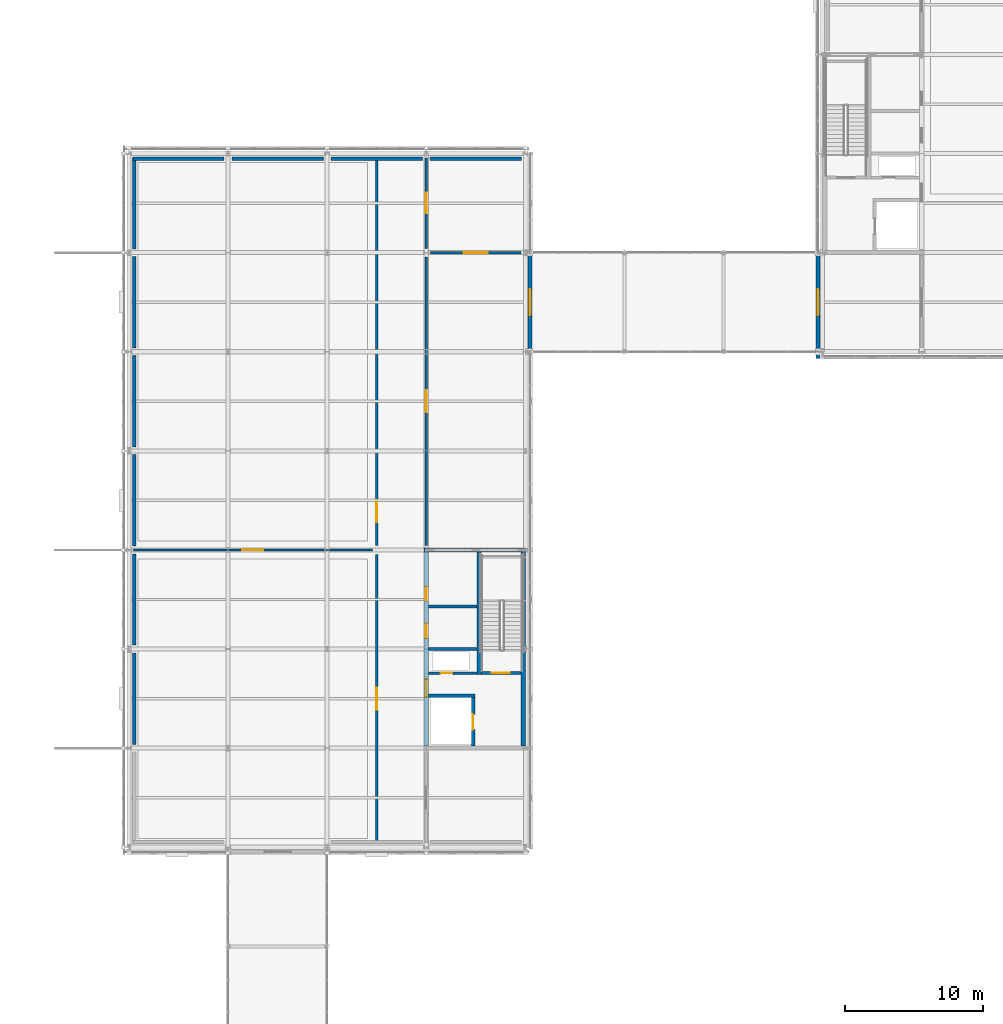
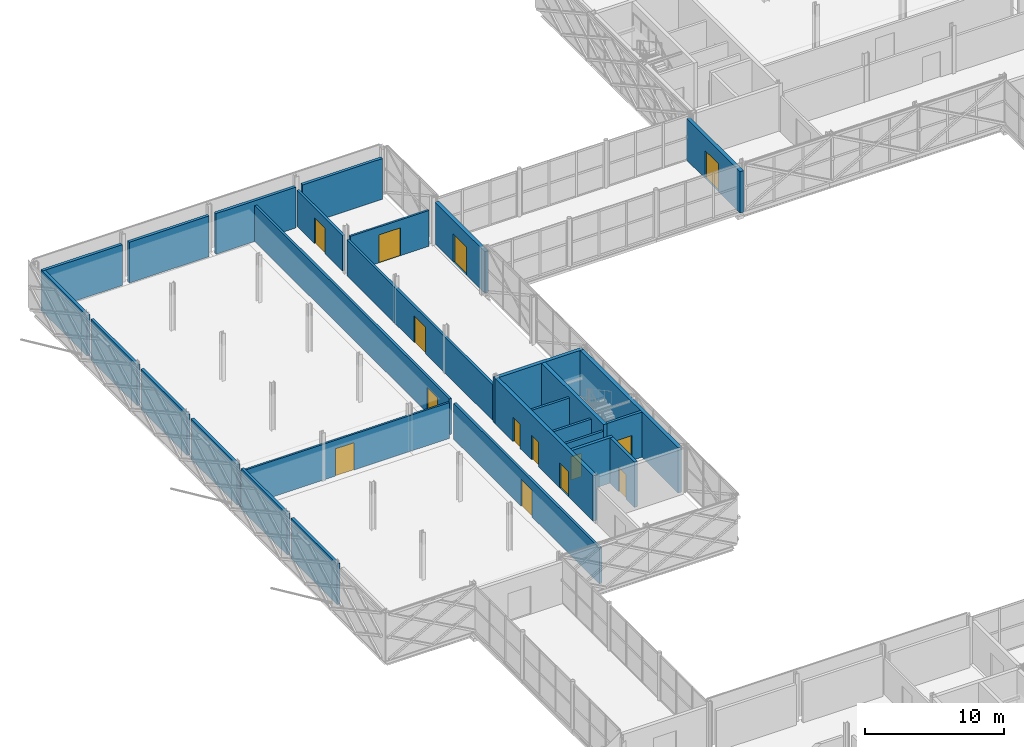
# One storey, part 122 of 146: 28 walls, 14 doors, 14 openings.
"""IFC4 building model written with IfcOpenShell, lengths in metres."""

import ifcopenshell
import ifcopenshell.guid

model = None  # the IFC model being written
_history = None  # IfcOwnerHistory: only IFC2X3 demands one
_inside = {}  # id of a spatial element -> (the spatial element, [elements in it])
_under = {}  # id of a project, library or spatial element -> (it, [spatial elements below it])
_declared = {}  # id of a project -> (the project, [libraries it declares])
_typed = {}  # id of a type object -> (the type object, [elements of that type])
_made_of = {}  # id of a material, layer set ... -> (it, [elements and type objects made of it])


def new_model(schema):
    """Start an empty IFC model of exactly this schema.

    Asked for "IFC4X3", IfcOpenShell would pick the latest addendum, in which some entities
    have other attributes; the version numbers below select the first issue.
    IFC2X3 requires an IfcOwnerHistory on every rooted entity: one is made here for all.
    """
    global model, _history
    if schema == "IFC4X3":
        model = ifcopenshell.file(schema_version=(4, 3, 0, 0))
    else:
        model = ifcopenshell.file(schema=schema)
    _inside.clear()
    _under.clear()
    _declared.clear()
    _typed.clear()
    _made_of.clear()
    _history = None
    if model.schema == "IFC2X3":
        org = make("IfcOrganization", Name="unknown")
        user = make(
            "IfcPersonAndOrganization",
            ThePerson=make("IfcPerson", FamilyName="unknown"),
            TheOrganization=org,
        )
        app = make(
            "IfcApplication",
            ApplicationDeveloper=org,
            Version="unknown",
            ApplicationFullName="unknown",
            ApplicationIdentifier="unknown",
        )
        _history = make(
            "IfcOwnerHistory",
            OwningUser=user,
            OwningApplication=app,
            ChangeAction="ADDED",
            CreationDate=0,
        )
    return model


def make(cls, **values):
    """One entity of the class cls with the attributes given. An attribute that is None is left unset."""
    return model.create_entity(
        cls, **{name: value for name, value in values.items() if value is not None}
    )


def rooted(cls, **values):
    """An entity with a GlobalId (a new one), such as an element, a storey or a relation."""
    return make(cls, GlobalId=ifcopenshell.guid.new(), OwnerHistory=_history, **values)


def si_unit(unit_type, name, prefix=None):
    """IfcSIUnit, for example si_unit("LENGTHUNIT", "METRE", prefix="MILLI")."""
    return make("IfcSIUnit", UnitType=unit_type, Prefix=prefix, Name=name)


def assignment(units):
    """IfcUnitAssignment: the units of a project."""
    return None if units is None else make("IfcUnitAssignment", Units=units)


def point(xyz):
    """IfcCartesianPoint."""
    return None if xyz is None else make("IfcCartesianPoint", Coordinates=xyz)


def direction(xyz):
    """IfcDirection."""
    return None if xyz is None else make("IfcDirection", DirectionRatios=xyz)


def frame(location, z_axis=None, x_axis=None):
    """IfcAxis2Placement3D, a coordinate frame: its origin and axes. An axis left out is left unset."""
    return make(
        "IfcAxis2Placement3D",
        Location=point(location),
        Axis=direction(z_axis),
        RefDirection=direction(x_axis),
    )


def frame_2d(location, x_axis=None):
    """IfcAxis2Placement2D, a coordinate frame in the plane: its origin and x axis."""
    return make(
        "IfcAxis2Placement2D", Location=point(location), RefDirection=direction(x_axis)
    )


def origin():
    """The frame at (0, 0, 0) with its axes left unset."""
    return frame((0.0, 0.0, 0.0))


def place(relative_to, where):
    """IfcLocalPlacement: puts the frame where relative to a parent placement (None: the world)."""
    return make(
        "IfcLocalPlacement", PlacementRelTo=relative_to, RelativePlacement=where
    )


def context(
    kind, dimensions, precision=None, world=None, true_north=None, identifier=None
):
    """IfcGeometricRepresentationContext, for example the 3D "Model" context."""
    return make(
        "IfcGeometricRepresentationContext",
        ContextIdentifier=identifier,
        ContextType=kind,
        CoordinateSpaceDimension=dimensions,
        Precision=precision,
        WorldCoordinateSystem=world,
        TrueNorth=true_north,
    )


def subcontext(parent, identifier, kind, view, scale=None):
    """IfcGeometricRepresentationSubContext, for example "Body" below "Model"."""
    return make(
        "IfcGeometricRepresentationSubContext",
        ContextIdentifier=identifier,
        ContextType=kind,
        ParentContext=parent,
        TargetScale=scale,
        TargetView=view,
    )


def project(units=None, contexts=None):
    """IfcProject with its units and contexts."""
    return rooted(
        "IfcProject",
        Name="project",
        RepresentationContexts=contexts,
        UnitsInContext=assignment(units),
    )


def spatial(cls, under=None, at=None, **own):
    """A site, building, storey or space (cls), placed at a placement, below another one or the project."""
    s = rooted(cls, ObjectPlacement=at, **own)
    if under is not None:
        _under.setdefault(under.id(), (under, []))[1].append(s)
    return s


def profile(cls, at=None, kind="AREA", **sizes):
    """A parametric profile (cls). Its sizes go by their IFC names, for example OverallWidth=200.0."""
    return make(cls, ProfileType=kind, Position=at, **sizes)


def rectangle(**sizes):
    """IfcRectangleProfileDef."""
    return profile("IfcRectangleProfileDef", **sizes)


def extrude(swept, where, along, depth):
    """IfcExtrudedAreaSolid: the profile swept, set in the frame where, extruded along a direction by depth."""
    return make(
        "IfcExtrudedAreaSolid",
        SweptArea=swept,
        Position=where,
        ExtrudedDirection=direction(along),
        Depth=depth,
    )


def shape(context_of_items, identifier, shape_type, items):
    """IfcShapeRepresentation: the items that make up one representation, for example the "Body"."""
    return make(
        "IfcShapeRepresentation",
        ContextOfItems=context_of_items,
        RepresentationIdentifier=identifier,
        RepresentationType=shape_type,
        Items=items,
    )


def material(Name=None, Category=None):
    """IfcMaterial."""
    return make("IfcMaterial", Name=Name, Category=Category)


def layer(
    of_material, thickness, ventilated=None, Name=None, Category=None, Priority=None
):
    """IfcMaterialLayer: one layer of a wall or slab, of a material (None: an air gap)."""
    return make(
        "IfcMaterialLayer",
        Material=of_material,
        LayerThickness=thickness,
        IsVentilated=ventilated,
        Name=Name,
        Category=Category,
        Priority=Priority,
    )


def layer_set(layers, Name=None):
    """IfcMaterialLayerSet."""
    return make("IfcMaterialLayerSet", MaterialLayers=layers, LayerSetName=Name)


def made_of(thing, what):
    """Note that an element or type object is made of a material, layer set ...; save() writes the relation."""
    if what is not None:
        _made_of.setdefault(what.id(), (what, []))[1].append(thing)
    return thing


def type_object(cls, material=None, **own):
    """A type object (cls), such as IfcWallType, which elements share."""
    return made_of(rooted(cls, **own), material)


def element(
    cls,
    number,
    at=None,
    inside=None,
    cuts=None,
    type_object=None,
    material=None,
    context=None,
    identifier="Body",
    shape_type=None,
    held_by="IfcProductDefinitionShape",
    body=None,
    shapes=None,
    **own,
):
    """One element of the class cls, such as IfcWall. Its Tag is "e" and its number.

    at: its placement. inside: the storey or other place that contains it. cuts: it is an
    opening in that element (IfcRelVoidsElement). A single representation is given by context,
    identifier, shape_type and body (its items); several are given by shapes. held_by: the class
    of the entity that holds the representations. save() writes the other relations.
    """
    e = rooted(cls, Tag="e%d" % number, ObjectPlacement=at, **own)
    if body is not None:
        shapes = [shape(context, identifier, shape_type, body)]
    if shapes is not None:
        e.Representation = make(held_by, Representations=shapes)
    if inside is not None:
        _inside.setdefault(inside.id(), (inside, []))[1].append(e)
    if cuts is not None:
        rooted(
            "IfcRelVoidsElement", RelatingBuildingElement=cuts, RelatedOpeningElement=e
        )
    if type_object is not None:
        _typed.setdefault(type_object.id(), (type_object, []))[1].append(e)
    return made_of(e, material)


def fill(opening, filler):
    """IfcRelFillsElement: the door or window that sits in an opening."""
    return rooted(
        "IfcRelFillsElement",
        RelatingOpeningElement=opening,
        RelatedBuildingElement=filler,
    )


def aggregate(whole, parts):
    """IfcRelAggregates: a whole, such as a stair, and the parts it consists of."""
    return rooted("IfcRelAggregates", RelatingObject=whole, RelatedObjects=parts)


def save(model, path):
    """Write the relations noted so far, then the file.

    IfcRelAggregates (storeys below a building ...), IfcRelContainedInSpatialStructure (elements
    in a storey), IfcRelDefinesByType, IfcRelAssociatesMaterial and IfcRelDeclares: one each for
    every whole, place, type object, material and project.
    """
    for whole, parts in _under.values():
        aggregate(whole, parts)
    for where, things in _inside.values():
        rooted(
            "IfcRelContainedInSpatialStructure",
            RelatedElements=things,
            RelatingStructure=where,
        )
    for kind, things in _typed.values():
        rooted("IfcRelDefinesByType", RelatedObjects=things, RelatingType=kind)
    for what, things in _made_of.values():
        rooted("IfcRelAssociatesMaterial", RelatedObjects=things, RelatingMaterial=what)
    for by, libraries in _declared.values():
        rooted("IfcRelDeclares", RelatingContext=by, RelatedDefinitions=libraries)
    model.write(path)


model = new_model("IFC4")

# Units and contexts
model_context = context("Model", 3, precision=1e-05, world=origin(), true_north=direction((0.0, 1.0)))
body_context = subcontext(model_context, "Body", "Model", "MODEL_VIEW")
ifc_project = project(units=[si_unit("LENGTHUNIT", "METRE"), si_unit("AREAUNIT", "SQUARE_METRE"), si_unit("VOLUMEUNIT", "CUBIC_METRE"), si_unit("PLANEANGLEUNIT", "RADIAN"), si_unit("MASSUNIT", "GRAM", prefix="KILO")], contexts=[model_context])

# Site, building, storey
site_placement = place(None, origin())
site = spatial("IfcSite", under=ifc_project, at=site_placement, CompositionType="ELEMENT")
building_placement = place(site_placement, origin())
building = spatial("IfcBuilding", under=site, at=building_placement, Name="Zlatovets Crest Museum", CompositionType="ELEMENT")
storey_placement = place(building_placement, frame((0.0, 0.0, 4.5)))
storey = spatial("IfcBuildingStorey", under=building, at=storey_placement, Name="L01", CompositionType="ELEMENT", Elevation=4.5)

# Walls
ifc_material_1 = material(Name="Concrete C35/45", Category="concrete")
ifc_layer_1 = layer(ifc_material_1, 0.300048828125)
ifc_layer_set_1 = layer_set([ifc_layer_1], Name="Concrete C35/45")
wall_type_1 = type_object("IfcWallType", Name="CoreWall_SW01", PredefinedType="SHEAR", material=ifc_layer_set_1)
wall_1_placement = place(storey_placement, frame((28.64990234375, 72.0, 0.0), z_axis=(0.0, 0.0, 1.0), x_axis=(1.0, 0.0, 0.0)))
element("IfcWall", 1, at=wall_1_placement, inside=storey, type_object=wall_type_1, Name="Core C4 L01 North Shear Wall", PredefinedType="SHEAR", context=body_context, shape_type="SweptSolid", body=[
    extrude(rectangle(XDim=7.35009765625, YDim=0.300048828125, at=frame_2d((3.675048828125, 0.0))), origin(), (0.0, 0.0, 1.0), 3.97998046875),
])
wall_2_placement = place(storey_placement, frame((35.85009765625, 57.75, 0.0), z_axis=(0.0, 0.0, 1.0), x_axis=(0.0, 1.0, 0.0)))
element("IfcWall", 2, at=wall_2_placement, inside=storey, type_object=wall_type_1, Name="Core C4 L01 Perimeter Shear Wall", PredefinedType="SHEAR", context=body_context, shape_type="SweptSolid", body=[
    extrude(rectangle(XDim=14.10009765625, YDim=0.300048828125, at=frame_2d((7.050048828125, 0.0))), origin(), (0.0, 0.0, 1.0), 3.97998046875),
])

# Wall, openings, doors
wall_3_placement = place(storey_placement, frame((28.800048828125, 57.75, 0.0), z_axis=(0.0, 0.0, 1.0), x_axis=(0.0, 1.0, 0.0)))
wall_3 = element("IfcWall", 3, at=wall_3_placement, inside=storey, type_object=wall_type_1, Name="Core C4 L01 Spine Shear Wall", PredefinedType="SHEAR", context=body_context, shape_type="SweptSolid", body=[
    extrude(rectangle(XDim=14.10009765625, YDim=0.300048828125, at=frame_2d((7.050048828125, 0.0))), origin(), (0.0, 0.0, 1.0), 3.97998046875),
])
opening_1_placement = place(wall_3_placement, frame((3.550048828125, 0.0, 0.0)))
opening_1 = element("IfcOpeningElement", 4, at=opening_1_placement, cuts=wall_3, Name="Opening FD-01", PredefinedType="OPENING", context=body_context, shape_type="SweptSolid", body=[
    extrude(rectangle(XDim=1.300048828125, YDim=2.199951171875, at=frame_2d((0.64990234375, 1.10009765625))), frame((0.0, 0.16015625, 0.0), z_axis=(0.0, -1.0, 0.0), x_axis=(1.0, 0.0, 0.0)), (0.0, 0.0, 1.0), 0.320068359375),
])
opening_2_placement = place(wall_3_placement, frame((7.85009765625, 0.0, 0.0)))
opening_2 = element("IfcOpeningElement", 5, at=opening_2_placement, cuts=wall_3, Name="Opening ID-02", PredefinedType="OPENING", context=body_context, shape_type="SweptSolid", body=[
    extrude(rectangle(XDim=1.050048828125, YDim=2.14990234375, at=frame_2d((0.52490234375, 1.074951171875))), frame((0.0, 0.16015625, 0.0), z_axis=(0.0, -1.0, 0.0), x_axis=(1.0, 0.0, 0.0)), (0.0, 0.0, 1.0), 0.320068359375),
])
opening_3_placement = place(wall_3_placement, frame((10.550048828125, 0.0, 0.0)))
opening_3 = element("IfcOpeningElement", 6, at=opening_3_placement, cuts=wall_3, Name="Opening ID-01", PredefinedType="OPENING", context=body_context, shape_type="SweptSolid", body=[
    extrude(rectangle(XDim=1.0, YDim=2.14990234375, at=frame_2d((0.5, 1.074951171875))), frame((0.0, 0.16015625, 0.0), z_axis=(0.0, -1.0, 0.0), x_axis=(1.0, 0.0, 0.0)), (0.0, 0.0, 1.0), 0.320068359375),
])
ifc_material_2 = material(Name="Smoke-sealed steel fire door", Category="steel")
door_type_1 = type_object("IfcDoorType", Name="IntDoor_FD-01", OperationType="NOTDEFINED", PredefinedType="DOOR", material=ifc_material_2)
door_1_placement = place(opening_1_placement, origin())
door_1 = element("IfcDoor", 7, at=door_1_placement, inside=storey, type_object=door_type_1, Name="CDOOR-C4-L01-LOB Core C4 L01 Lobby Fire Door", OperationType="SINGLE_SWING_LEFT", OverallHeight=2.199951171875, OverallWidth=1.300048828125, PredefinedType="DOOR", context=body_context, shape_type="SweptSolid", body=[
    extrude(rectangle(XDim=1.300048828125, YDim=2.199951171875, at=frame_2d((0.64990234375, 1.10009765625))), frame((0.0, 0.02490234375, 0.0), z_axis=(0.0, -1.0, 0.0), x_axis=(1.0, 0.0, 0.0)), (0.0, 0.0, 1.0), 0.050048828125),
])
fill(opening_1, door_1)
ifc_material_3 = material(Name="Solid oak museum room door")
door_type_2 = type_object("IfcDoorType", Name="IntDoor_ID-01", OperationType="NOTDEFINED", PredefinedType="DOOR", material=ifc_material_3)
door_2_placement = place(opening_3_placement, origin())
door_2 = element("IfcDoor", 8, at=door_2_placement, inside=storey, type_object=door_type_2, Name="CDOOR-C4-L01-WC Core C4 L01 Public Restroom Door", OperationType="SINGLE_SWING_RIGHT", OverallHeight=2.14990234375, OverallWidth=1.0, PredefinedType="DOOR", context=body_context, shape_type="SweptSolid", body=[
    extrude(rectangle(XDim=1.0, YDim=2.14990234375, at=frame_2d((0.5, 1.074951171875))), frame((0.0, 0.02490234375, 0.0), z_axis=(0.0, -1.0, 0.0), x_axis=(1.0, 0.0, 0.0)), (0.0, 0.0, 1.0), 0.050048828125),
])
fill(opening_3, door_2)
ifc_material_4 = material(Name="Accessible sanitary room door")
door_type_3 = type_object("IfcDoorType", Name="IntDoor_ID-02", OperationType="NOTDEFINED", PredefinedType="DOOR", material=ifc_material_4)
door_3_placement = place(opening_2_placement, origin())
door_3 = element("IfcDoor", 9, at=door_3_placement, inside=storey, type_object=door_type_3, Name="CDOOR-C4-L01-AWC Core C4 L01 Accessible WC Door", OperationType="SINGLE_SWING_LEFT", OverallHeight=2.14990234375, OverallWidth=1.050048828125, PredefinedType="DOOR", context=body_context, shape_type="SweptSolid", body=[
    extrude(rectangle(XDim=1.050048828125, YDim=2.14990234375, at=frame_2d((0.52490234375, 1.074951171875))), frame((0.0, 0.02490234375, 0.0), z_axis=(0.0, -1.0, 0.0), x_axis=(1.0, 0.0, 0.0)), (0.0, 0.0, 1.0), 0.050048828125),
])
fill(opening_2, door_3)

# Wall
wall_4_placement = place(storey_placement, frame((32.64990234375, 62.93994140625, 0.0), z_axis=(0.0, 0.0, 1.0), x_axis=(0.0, 1.0, 0.0)))
element("IfcWall", 10, at=wall_4_placement, inside=storey, type_object=wall_type_1, Name="Core C4 L01 Stair Divider Wall", PredefinedType="SHEAR", context=body_context, shape_type="SweptSolid", body=[
    extrude(rectangle(XDim=8.91015625, YDim=0.300048828125, at=frame_2d((4.455078125, 0.0))), origin(), (0.0, 0.0, 1.0), 3.97998046875),
])

# Wall, opening, door
ifc_layer_2 = layer(ifc_material_1, 0.25)
ifc_layer_set_2 = layer_set([ifc_layer_2], Name="Concrete C35/45")
wall_type_2 = type_object("IfcWallType", Name="CoreWall_SW02", PredefinedType="SHEAR", material=ifc_layer_set_2)
wall_5_placement = place(storey_placement, frame((32.199951171875, 57.75, 0.0), z_axis=(0.0, 0.0, 1.0), x_axis=(0.0, 1.0, 0.0)))
wall_5 = element("IfcWall", 11, at=wall_5_placement, inside=storey, type_object=wall_type_2, Name="Core C4 L01 Lift Shaft Wall", PredefinedType="SHEAR", context=body_context, shape_type="SweptSolid", body=[
    extrude(rectangle(XDim=3.52490234375, YDim=0.25, at=frame_2d((1.762451171875, 0.0))), origin(), (0.0, 0.0, 1.0), 3.97998046875),
])
opening_4_placement = place(wall_5_placement, frame((1.199951171875, 0.0, 0.0)))
opening_4 = element("IfcOpeningElement", 12, at=opening_4_placement, cuts=wall_5, Name="Opening LD-01", PredefinedType="OPENING", context=body_context, shape_type="SweptSolid", body=[
    extrude(rectangle(XDim=1.10009765625, YDim=2.14990234375, at=frame_2d((0.550048828125, 1.074951171875))), frame((0.0, 0.135009765625, 0.0), z_axis=(0.0, -1.0, 0.0), x_axis=(1.0, 0.0, 0.0)), (0.0, 0.0, 1.0), 0.27001953125),
])
ifc_material_5 = material(Name="Stainless-bronze sliding lift landing door")
door_type_4 = type_object("IfcDoorType", Name="IntDoor_LD-01", OperationType="SLIDING_TO_LEFT", PredefinedType="DOOR", material=ifc_material_5)
door_4_placement = place(opening_4_placement, origin())
door_4 = element("IfcDoor", 13, at=door_4_placement, inside=storey, type_object=door_type_4, Name="LDOOR-PL2-L01 Lift PL2 L01 Sliding Landing Door", OperationType="SLIDING_TO_LEFT", OverallHeight=2.14990234375, OverallWidth=1.10009765625, PredefinedType="DOOR", context=body_context, shape_type="SweptSolid", body=[
    extrude(rectangle(XDim=1.10009765625, YDim=2.14990234375, at=frame_2d((0.550048828125, 1.074951171875))), frame((0.0, 0.02490234375, 0.0), z_axis=(0.0, -1.0, 0.0), x_axis=(1.0, 0.0, 0.0)), (0.0, 0.0, 1.0), 0.050048828125),
])
fill(opening_4, door_4)

wall_6_placement = place(storey_placement, frame((32.800048828125, 63.050048828125, 0.0), z_axis=(0.0, 0.0, 1.0), x_axis=(1.0, 0.0, 0.0)))
wall_6 = element("IfcWall", 14, at=wall_6_placement, inside=storey, type_object=wall_type_2, Name="Core C4 L01 Stairwell Fire Wall", PredefinedType="SHEAR", context=body_context, shape_type="SweptSolid", body=[
    extrude(rectangle(XDim=2.89990234375, YDim=0.219970703125, at=frame_2d((1.449951171875, 0.0))), origin(), (0.0, 0.0, 1.0), 3.97998046875),
])
opening_5_placement = place(wall_6_placement, frame((0.75, 0.0, 0.0)))
opening_5 = element("IfcOpeningElement", 15, at=opening_5_placement, cuts=wall_6, Name="Opening FD-01", PredefinedType="OPENING", context=body_context, shape_type="SweptSolid", body=[
    extrude(rectangle(XDim=1.300048828125, YDim=2.199951171875, at=frame_2d((0.64990234375, 1.10009765625))), frame((0.0, 0.1201171875, 0.0), z_axis=(0.0, -1.0, 0.0), x_axis=(1.0, 0.0, 0.0)), (0.0, 0.0, 1.0), 0.239990234375),
])
door_5_placement = place(opening_5_placement, origin())
door_5 = element("IfcDoor", 16, at=door_5_placement, inside=storey, type_object=door_type_1, Name="SDOOR-ST4-L01 Stair ST4 L01 Fire Door", OperationType="SINGLE_SWING_LEFT", OverallHeight=2.199951171875, OverallWidth=1.300048828125, PredefinedType="DOOR", context=body_context, shape_type="SweptSolid", body=[
    extrude(rectangle(XDim=1.300048828125, YDim=2.199951171875, at=frame_2d((0.64990234375, 1.10009765625))), frame((0.0, 0.02490234375, 0.0), z_axis=(0.0, -1.0, 0.0), x_axis=(1.0, 0.0, 0.0)), (0.0, 0.0, 1.0), 0.050048828125),
])
fill(opening_5, door_5)

# Wall
wall_7_placement = place(storey_placement, frame((28.949951171875, 61.39990234375, 0.0), z_axis=(0.0, 0.0, 1.0), x_axis=(1.0, 0.0, 0.0)))
element("IfcWall", 17, at=wall_7_placement, inside=storey, type_object=wall_type_2, Name="Core C4 L01 Lift Shaft North Shear Wall", PredefinedType="SHEAR", context=body_context, shape_type="SweptSolid", body=[
    extrude(rectangle(XDim=3.375, YDim=0.25, at=frame_2d((1.6875, 0.0))), origin(), (0.0, 0.0, 1.0), 3.97998046875),
])

# Wall, opening, door
ifc_material_6 = material(Name="Insulated gallery conservation liner wall", Category="concrete")
ifc_layer_3 = layer(ifc_material_6, 0.300048828125)
ifc_layer_set_3 = layer_set([ifc_layer_3], Name="Insulated gallery conservation liner wall")
wall_type_3 = type_object("IfcWallType", Name="ExtWall_EW-02", PredefinedType="STANDARD", material=ifc_layer_set_3)
wall_8_placement = place(storey_placement, frame((57.260009765625, 93.60009765625, 0.0), z_axis=(0.0, 0.0, 1.0), x_axis=(0.0, -1.0, 0.0)))
wall_8 = element("IfcWall", 18, at=wall_8_placement, inside=storey, type_object=wall_type_3, Name="V1 L01 Bridge Portal Wall", PredefinedType="STANDARD", context=body_context, shape_type="SweptSolid", body=[
    extrude(rectangle(XDim=7.68017578125, YDim=0.300048828125, at=frame_2d((3.840087890625, 0.0))), origin(), (0.0, 0.0, 1.0), 3.64990234375),
])
opening_6_placement = place(wall_8_placement, frame((2.64990234375, 0.0, 0.0)))
opening_6 = element("IfcOpeningElement", 19, at=opening_6_placement, cuts=wall_8, Name="Opening ED-02", PredefinedType="OPENING", context=body_context, shape_type="SweptSolid", body=[
    extrude(rectangle(XDim=1.89990234375, YDim=2.449951171875, at=frame_2d((0.949951171875, 1.22509765625))), frame((0.0, 0.16015625, 0.0), z_axis=(0.0, -1.0, 0.0), x_axis=(1.0, 0.0, 0.0)), (0.0, 0.0, 1.0), 0.320068359375),
])
ifc_material_7 = material(Name="Bronze-clad insulated steel door", Category="steel")
door_type_5 = type_object("IfcDoorType", Name="ExtDoor_ED-02", OperationType="NOTDEFINED", PredefinedType="DOOR", material=ifc_material_7)
door_6_placement = place(opening_6_placement, origin())
door_6 = element("IfcDoor", 20, at=door_6_placement, inside=storey, type_object=door_type_5, Name="ED-V1-L01-BR007 V1 L01 Bridge Link Portal Door", OperationType="DOUBLE_DOOR_SINGLE_SWING", OverallHeight=2.449951171875, OverallWidth=1.89990234375, PredefinedType="DOOR", context=body_context, shape_type="SweptSolid", body=[
    extrude(rectangle(XDim=1.89990234375, YDim=2.449951171875, at=frame_2d((0.949951171875, 1.22509765625))), frame((0.0, 0.02490234375, 0.0), z_axis=(0.0, -1.0, 0.0), x_axis=(1.0, 0.0, 0.0)), (0.0, 0.0, 1.0), 0.050048828125),
])
fill(opening_6, door_6)

wall_9_placement = place(storey_placement, frame((36.340087890625, 86.39990234375, 0.0), z_axis=(0.0, 0.0, 1.0), x_axis=(0.0, 1.0, 0.0)))
wall_9 = element("IfcWall", 21, at=wall_9_placement, inside=storey, type_object=wall_type_3, Name="V4 L01 Bridge Portal Wall", PredefinedType="STANDARD", context=body_context, shape_type="SweptSolid", body=[
    extrude(rectangle(XDim=7.2001953125, YDim=0.300048828125, at=frame_2d((3.60009765625, 0.0))), origin(), (0.0, 0.0, 1.0), 3.64990234375),
])
opening_7_placement = place(wall_9_placement, frame((2.64990234375, 0.0, 0.0)))
opening_7 = element("IfcOpeningElement", 22, at=opening_7_placement, cuts=wall_9, Name="Opening ED-02", PredefinedType="OPENING", context=body_context, shape_type="SweptSolid", body=[
    extrude(rectangle(XDim=1.89990234375, YDim=2.449951171875, at=frame_2d((0.949951171875, 1.22509765625))), frame((0.0, 0.16015625, 0.0), z_axis=(0.0, -1.0, 0.0), x_axis=(1.0, 0.0, 0.0)), (0.0, 0.0, 1.0), 0.320068359375),
])
door_7_placement = place(opening_7_placement, origin())
door_7 = element("IfcDoor", 23, at=door_7_placement, inside=storey, type_object=door_type_5, Name="ED-V4-L01-BR038 V4 L01 Bridge Link Portal Door", OperationType="DOUBLE_DOOR_SINGLE_SWING", OverallHeight=2.449951171875, OverallWidth=1.89990234375, PredefinedType="DOOR", context=body_context, shape_type="SweptSolid", body=[
    extrude(rectangle(XDim=1.89990234375, YDim=2.449951171875, at=frame_2d((0.949951171875, 1.22509765625))), frame((0.0, 0.02490234375, 0.0), z_axis=(0.0, -1.0, 0.0), x_axis=(1.0, 0.0, 0.0)), (0.0, 0.0, 1.0), 0.050048828125),
])
fill(opening_7, door_7)

# Walls
wall_10_placement = place(storey_placement, frame((35.719970703125, 100.419921875, 0.0), z_axis=(0.0, 0.0, 1.0), x_axis=(-1.0, 0.0, 0.0)))
element("IfcWall", 24, at=wall_10_placement, inside=storey, type_object=wall_type_3, Name="V4 L01 Interior Conservation Gallery Liner Wall", PredefinedType="STANDARD", context=body_context, shape_type="SweptSolid", body=[
    extrude(rectangle(XDim=6.639892578125, YDim=0.239990234375, at=frame_2d((3.31982421875, 0.0))), origin(), (0.0, 0.0, 1.0), 3.580078125),
])
for number, where, z_axis, x_axis, name in (
    (25, (28.52001953125, 100.419921875, 0.0), (0.0, 0.0, 1.0), (-1.0, 0.0, 0.0), "V4 L01 Interior Conservation Gallery Liner Wall"),
    (26, (21.320068359375, 100.419921875, 0.0), (0.0, 0.0, 1.0), (-1.0, 0.0, 0.0), "V4 L01 Interior Conservation Gallery Liner Wall"),
    (27, (14.1201171875, 100.419921875, 0.0), (0.0, 0.0, 1.0), (-1.0, 0.0, 0.0), "V4 L01 Interior Conservation Gallery Liner Wall"),
    (28, (7.580078125, 100.52001953125, 0.0), (0.0, 0.0, 1.0), (0.0, -1.0, 0.0), "V4 L01 Interior Conservation Gallery Liner Wall"),
    (29, (7.580078125, 93.320068359375, 0.0), (0.0, 0.0, 1.0), (0.0, -1.0, 0.0), "V4 L01 Interior Conservation Gallery Liner Wall"),
    (30, (7.580078125, 86.1201171875, 0.0), (0.0, 0.0, 1.0), (0.0, -1.0, 0.0), "V4 L01 Interior Conservation Gallery Liner Wall"),
):
    element("IfcWall", number, at=place(storey_placement, frame(where, z_axis=z_axis, x_axis=x_axis)), inside=storey, type_object=wall_type_3, Name=name, PredefinedType="STANDARD", context=body_context, shape_type="SweptSolid", body=[
        extrude(rectangle(XDim=6.64013671875, YDim=0.239990234375, at=frame_2d((3.320068359375, 0.0))), origin(), (0.0, 0.0, 1.0), 3.580078125),
    ])
for number, where, z_axis, x_axis, name in (
    (31, (7.580078125, 78.919921875, 0.0), (0.0, 0.0, 1.0), (0.0, -1.0, 0.0), "V4 L01 Interior Conservation Gallery Liner Wall"),
    (32, (7.580078125, 71.719970703125, 0.0), (0.0, 0.0, 1.0), (0.0, -1.0, 0.0), "V4 L01 Interior Conservation Gallery Liner Wall"),
):
    element("IfcWall", number, at=place(storey_placement, frame(where, z_axis=z_axis, x_axis=x_axis)), inside=storey, type_object=wall_type_3, Name=name, PredefinedType="STANDARD", context=body_context, shape_type="SweptSolid", body=[
        extrude(rectangle(XDim=6.639892578125, YDim=0.239990234375, at=frame_2d((3.31982421875, 0.0))), origin(), (0.0, 0.0, 1.0), 3.580078125),
    ])
wall_11_placement = place(storey_placement, frame((7.580078125, 64.52001953125, 0.0), z_axis=(0.0, 0.0, 1.0), x_axis=(0.0, -1.0, 0.0)))
element("IfcWall", 33, at=wall_11_placement, inside=storey, type_object=wall_type_3, Name="V4 L01 Interior Conservation Gallery Liner Wall", PredefinedType="STANDARD", context=body_context, shape_type="SweptSolid", body=[
    extrude(rectangle(XDim=6.64013671875, YDim=0.239990234375, at=frame_2d((3.320068359375, 0.0))), origin(), (0.0, 0.0, 1.0), 3.580078125),
])

# Wall, opening, door
ifc_material_8 = material(Name="Gypsum-encased fire compartment partition")
ifc_layer_4 = layer(ifc_material_8, 0.199951171875)
ifc_layer_set_4 = layer_set([ifc_layer_4], Name="Gypsum-encased fire compartment partition")
wall_type_4 = type_object("IfcWallType", Name="PartWall_PT-01", PredefinedType="PARTITIONING", material=ifc_layer_set_4)
wall_12_placement = place(storey_placement, frame((25.199951171875, 50.719970703125, 0.0), z_axis=(0.0, 0.0, 1.0), x_axis=(0.0, 1.0, 0.0)))
wall_12 = element("IfcWall", 34, at=wall_12_placement, inside=storey, type_object=wall_type_4, Name="V4 L01 Interior Partition PT-01", PredefinedType="PARTITIONING", context=body_context, shape_type="SweptSolid", body=[
    extrude(rectangle(XDim=20.9599609375, YDim=0.199951171875, at=frame_2d((10.47998046875, 0.0))), origin(), (0.0, 0.0, 1.0), 3.14990234375),
])
opening_8_placement = place(wall_12_placement, frame((9.679931640625, 0.0, 0.0)))
opening_8 = element("IfcOpeningElement", 35, at=opening_8_placement, cuts=wall_12, Name="Opening ID-04", PredefinedType="OPENING", context=body_context, shape_type="SweptSolid", body=[
    extrude(rectangle(XDim=1.60009765625, YDim=2.35009765625, at=frame_2d((0.800048828125, 1.175048828125))), frame((0.0, 0.10986328125, 0.0), z_axis=(0.0, -1.0, 0.0), x_axis=(1.0, 0.0, 0.0)), (0.0, 0.0, 1.0), 0.219970703125),
])
ifc_material_9 = material(Name="Gallery salon double portal door")
door_type_6 = type_object("IfcDoorType", Name="IntDoor_ID-04", OperationType="DOUBLE_DOOR_SINGLE_SWING", PredefinedType="DOOR", material=ifc_material_9)
door_8_placement = place(opening_8_placement, origin())
door_8 = element("IfcDoor", 36, at=door_8_placement, inside=storey, type_object=door_type_6, Name="IDOOR-V4-L01-0122 West Wing Promenade L01 to Secession Furniture and Woodwork Salon Door", OperationType="DOUBLE_DOOR_SINGLE_SWING", OverallHeight=2.35009765625, OverallWidth=1.60009765625, PredefinedType="DOOR", context=body_context, shape_type="SweptSolid", body=[
    extrude(rectangle(XDim=1.60009765625, YDim=2.35009765625, at=frame_2d((0.800048828125, 1.175048828125))), frame((0.0, 0.02490234375, 0.0), z_axis=(0.0, -1.0, 0.0), x_axis=(1.0, 0.0, 0.0)), (0.0, 0.0, 1.0), 0.050048828125),
])
fill(opening_8, door_8)

wall_13_placement = place(storey_placement, frame((25.199951171875, 72.320068359375, 0.0), z_axis=(0.0, 0.0, 1.0), x_axis=(0.0, 1.0, 0.0)))
wall_13 = element("IfcWall", 37, at=wall_13_placement, inside=storey, type_object=wall_type_4, Name="V4 L01 Interior Partition PT-01", PredefinedType="PARTITIONING", context=body_context, shape_type="SweptSolid", body=[
    extrude(rectangle(XDim=28.159912109375, YDim=0.199951171875, at=frame_2d((14.080078125, 0.0))), origin(), (0.0, 0.0, 1.0), 3.14990234375),
])
opening_9_placement = place(wall_13_placement, frame((1.69873046875, 0.0, 0.0)))
opening_9 = element("IfcOpeningElement", 38, at=opening_9_placement, cuts=wall_13, Name="Opening FD-02", PredefinedType="OPENING", context=body_context, shape_type="SweptSolid", body=[
    extrude(rectangle(XDim=1.5, YDim=2.25, at=frame_2d((0.75, 1.125))), frame((0.0, 0.10986328125, 0.0), z_axis=(0.0, -1.0, 0.0), x_axis=(1.0, 0.0, 0.0)), (0.0, 0.0, 1.0), 0.219970703125),
])
ifc_material_10 = material(Name="Double corridor compartment fire door")
door_type_7 = type_object("IfcDoorType", Name="IntDoor_FD-02", OperationType="DOUBLE_DOOR_SINGLE_SWING", PredefinedType="DOOR", material=ifc_material_10)
door_9_placement = place(opening_9_placement, origin())
door_9 = element("IfcDoor", 39, at=door_9_placement, inside=storey, type_object=door_type_7, Name="IDOOR-V4-L01-0123 West Wing Promenade L01 to Wrought Iron and Bronze Artistry Gallery Door", OperationType="DOUBLE_DOOR_SINGLE_SWING", OverallHeight=2.25, OverallWidth=1.5, PredefinedType="DOOR", context=body_context, shape_type="SweptSolid", body=[
    extrude(rectangle(XDim=1.5, YDim=2.25, at=frame_2d((0.75, 1.125))), frame((0.0, 0.02490234375, 0.0), z_axis=(0.0, -1.0, 0.0), x_axis=(1.0, 0.0, 0.0)), (0.0, 0.0, 1.0), 0.050048828125),
])
fill(opening_9, door_9)

wall_14_placement = place(storey_placement, frame((28.800048828125, 72.320068359375, 0.0), z_axis=(0.0, 0.0, 1.0), x_axis=(0.0, 1.0, 0.0)))
wall_14 = element("IfcWall", 40, at=wall_14_placement, inside=storey, type_object=wall_type_4, Name="V4 L01 Interior Partition PT-01", PredefinedType="PARTITIONING", context=body_context, shape_type="SweptSolid", body=[
    extrude(rectangle(XDim=20.9599609375, YDim=0.199951171875, at=frame_2d((10.47998046875, 0.0))), origin(), (0.0, 0.0, 1.0), 3.14990234375),
])
opening_10_placement = place(wall_14_placement, frame((9.679931640625, 0.0, 0.0)))
opening_10 = element("IfcOpeningElement", 41, at=opening_10_placement, cuts=wall_14, Name="Opening ID-04", PredefinedType="OPENING", context=body_context, shape_type="SweptSolid", body=[
    extrude(rectangle(XDim=1.60009765625, YDim=2.35009765625, at=frame_2d((0.800048828125, 1.175048828125))), frame((0.0, 0.10986328125, 0.0), z_axis=(0.0, -1.0, 0.0), x_axis=(1.0, 0.0, 0.0)), (0.0, 0.0, 1.0), 0.219970703125),
])
door_10_placement = place(opening_10_placement, origin())
door_10 = element("IfcDoor", 42, at=door_10_placement, inside=storey, type_object=door_type_6, Name="IDOOR-V4-L01-0124 West Wing Promenade L01 to Craft Demonstration Studio Door", OperationType="DOUBLE_DOOR_SINGLE_SWING", OverallHeight=2.35009765625, OverallWidth=1.60009765625, PredefinedType="DOOR", context=body_context, shape_type="SweptSolid", body=[
    extrude(rectangle(XDim=1.60009765625, YDim=2.35009765625, at=frame_2d((0.800048828125, 1.175048828125))), frame((0.0, 0.02490234375, 0.0), z_axis=(0.0, -1.0, 0.0), x_axis=(1.0, 0.0, 0.0)), (0.0, 0.0, 1.0), 0.050048828125),
])
fill(opening_10, door_10)

wall_15_placement = place(storey_placement, frame((28.800048828125, 93.919921875, 0.0), z_axis=(0.0, 0.0, 1.0), x_axis=(0.0, 1.0, 0.0)))
wall_15 = element("IfcWall", 43, at=wall_15_placement, inside=storey, type_object=wall_type_4, Name="V4 L01 Interior Partition PT-01", PredefinedType="PARTITIONING", context=body_context, shape_type="SweptSolid", body=[
    extrude(rectangle(XDim=6.56005859375, YDim=0.199951171875, at=frame_2d((3.280029296875, 0.0))), origin(), (0.0, 0.0, 1.0), 3.14990234375),
])
opening_11_placement = place(wall_15_placement, frame((2.530029296875, 0.0, 0.0)))
opening_11 = element("IfcOpeningElement", 44, at=opening_11_placement, cuts=wall_15, Name="Opening FD-02", PredefinedType="OPENING", context=body_context, shape_type="SweptSolid", body=[
    extrude(rectangle(XDim=1.5, YDim=2.25, at=frame_2d((0.75, 1.125))), frame((0.0, 0.10986328125, 0.0), z_axis=(0.0, -1.0, 0.0), x_axis=(1.0, 0.0, 0.0)), (0.0, 0.0, 1.0), 0.219970703125),
])
door_11_placement = place(opening_11_placement, origin())
door_11 = element("IfcDoor", 45, at=door_11_placement, inside=storey, type_object=door_type_7, Name="IDOOR-V4-L01-0126 West Wing Promenade L01 to North Crest Bridge Foyer L01 Door", OperationType="DOUBLE_DOOR_SINGLE_SWING", OverallHeight=2.25, OverallWidth=1.5, PredefinedType="DOOR", context=body_context, shape_type="SweptSolid", body=[
    extrude(rectangle(XDim=1.5, YDim=2.25, at=frame_2d((0.75, 1.125))), frame((0.0, 0.02490234375, 0.0), z_axis=(0.0, -1.0, 0.0), x_axis=(1.0, 0.0, 0.0)), (0.0, 0.0, 1.0), 0.050048828125),
])
fill(opening_11, door_11)

ifc_material_11 = material(Name="Acoustic museum gallery stud partition")
ifc_layer_5 = layer(ifc_material_11, 0.159912109375)
ifc_layer_set_5 = layer_set([ifc_layer_5], Name="Acoustic museum gallery stud partition")
wall_type_5 = type_object("IfcWallType", Name="PartWall_PT-02", PredefinedType="PARTITIONING", material=ifc_layer_set_5)
wall_16_placement = place(storey_placement, frame((7.52001953125, 72.0, 0.0), z_axis=(0.0, 0.0, 1.0), x_axis=(1.0, 0.0, 0.0)))
wall_16 = element("IfcWall", 46, at=wall_16_placement, inside=storey, type_object=wall_type_5, Name="V4 L01 Interior Partition PT-02", PredefinedType="PARTITIONING", context=body_context, shape_type="SweptSolid", body=[
    extrude(rectangle(XDim=17.35986328125, YDim=0.159912109375, at=frame_2d((8.679931640625, 0.0))), origin(), (0.0, 0.0, 1.0), 3.14990234375),
])
opening_12_placement = place(wall_16_placement, frame((7.905029296875, 0.0, 0.0)))
opening_12 = element("IfcOpeningElement", 47, at=opening_12_placement, cuts=wall_16, Name="Opening ID-13", PredefinedType="OPENING", context=body_context, shape_type="SweptSolid", body=[
    extrude(rectangle(XDim=1.550048828125, YDim=2.39990234375, at=frame_2d((0.77490234375, 1.199951171875))), frame((0.0, 0.08984375, 0.0), z_axis=(0.0, -1.0, 0.0), x_axis=(1.0, 0.0, 0.0)), (0.0, 0.0, 1.0), 0.179931640625),
])
ifc_material_12 = material(Name="Cabinet gallery double door")
door_type_8 = type_object("IfcDoorType", Name="IntDoor_ID-13", OperationType="DOUBLE_DOOR_SINGLE_SWING", PredefinedType="DOOR", material=ifc_material_12)
door_12_placement = place(opening_12_placement, origin())
door_12 = element("IfcDoor", 48, at=door_12_placement, inside=storey, type_object=door_type_8, Name="IDOOR-V4-L01-0127 Secession Furniture and Woodwork Salon to Wrought Iron and Bronze Artistry Gallery Door", OperationType="DOUBLE_DOOR_SINGLE_SWING", OverallHeight=2.39990234375, OverallWidth=1.550048828125, PredefinedType="DOOR", context=body_context, shape_type="SweptSolid", body=[
    extrude(rectangle(XDim=1.550048828125, YDim=2.39990234375, at=frame_2d((0.77490234375, 1.199951171875))), frame((0.0, 0.02490234375, 0.0), z_axis=(0.0, -1.0, 0.0), x_axis=(1.0, 0.0, 0.0)), (0.0, 0.0, 1.0), 0.050048828125),
])
fill(opening_12, door_12)

wall_17_placement = place(storey_placement, frame((29.1201171875, 93.60009765625, 0.0), z_axis=(0.0, 0.0, 1.0), x_axis=(1.0, 0.0, 0.0)))
wall_17 = element("IfcWall", 49, at=wall_17_placement, inside=storey, type_object=wall_type_5, Name="V4 L01 Interior Partition PT-02", PredefinedType="PARTITIONING", context=body_context, shape_type="SweptSolid", body=[
    extrude(rectangle(XDim=6.559814453125, YDim=0.159912109375, at=frame_2d((3.27978515625, 0.0))), origin(), (0.0, 0.0, 1.0), 3.14990234375),
])
opening_13_placement = place(wall_17_placement, frame((2.405029296875, 0.0, 0.0)))
opening_13 = element("IfcOpeningElement", 50, at=opening_13_placement, cuts=wall_17, Name="Opening ID-14", PredefinedType="OPENING", context=body_context, shape_type="SweptSolid", body=[
    extrude(rectangle(XDim=1.75, YDim=2.449951171875, at=frame_2d((0.875, 1.22509765625))), frame((0.0, 0.08984375, 0.0), z_axis=(0.0, -1.0, 0.0), x_axis=(1.0, 0.0, 0.0)), (0.0, 0.0, 1.0), 0.179931640625),
])
ifc_material_13 = material(Name="Applied arts salon double door")
door_type_9 = type_object("IfcDoorType", Name="IntDoor_ID-14", OperationType="DOUBLE_DOOR_SINGLE_SWING", PredefinedType="DOOR", material=ifc_material_13)
door_13_placement = place(opening_13_placement, origin())
door_13 = element("IfcDoor", 51, at=door_13_placement, inside=storey, type_object=door_type_9, Name="IDOOR-V4-L01-0128 Craft Demonstration Studio to North Crest Bridge Foyer L01 Door", OperationType="DOUBLE_DOOR_SINGLE_SWING", OverallHeight=2.449951171875, OverallWidth=1.75, PredefinedType="DOOR", context=body_context, shape_type="SweptSolid", body=[
    extrude(rectangle(XDim=1.75, YDim=2.449951171875, at=frame_2d((0.875, 1.22509765625))), frame((0.0, 0.02490234375, 0.0), z_axis=(0.0, -1.0, 0.0), x_axis=(1.0, 0.0, 0.0)), (0.0, 0.0, 1.0), 0.050048828125),
])
fill(opening_13, door_13)

ifc_material_14 = material(Name="Sanitary core acoustic service wall")
ifc_layer_6 = layer(ifc_material_14, 0.219970703125)
ifc_layer_set_6 = layer_set([ifc_layer_6], Name="Sanitary core acoustic service wall")
wall_type_6 = type_object("IfcWallType", Name="PartWall_PT-04", PredefinedType="PLUMBINGWALL", material=ifc_layer_set_6)
wall_18_placement = place(storey_placement, frame((28.949951171875, 63.050048828125, 0.0), z_axis=(0.0, 0.0, 1.0), x_axis=(1.0, 0.0, 0.0)))
wall_18 = element("IfcWall", 52, at=wall_18_placement, inside=storey, type_object=wall_type_6, Name="Core C4 L01 Riser Lobby Wall", PredefinedType="PLUMBINGWALL", context=body_context, shape_type="SweptSolid", body=[
    extrude(rectangle(XDim=3.550048828125, YDim=0.199951171875, at=frame_2d((1.77490234375, 0.0))), origin(), (0.0, 0.0, 1.0), 3.39990234375),
])
opening_14_placement = place(wall_18_placement, frame((0.89990234375, 0.0, 0.0)))
opening_14 = element("IfcOpeningElement", 53, at=opening_14_placement, cuts=wall_18, Name="Opening FD-03", PredefinedType="OPENING", context=body_context, shape_type="SweptSolid", body=[
    extrude(rectangle(XDim=0.85009765625, YDim=2.050048828125, at=frame_2d((0.425048828125, 1.02490234375))), frame((0.0, 0.10986328125, 0.0), z_axis=(0.0, -1.0, 0.0), x_axis=(1.0, 0.0, 0.0)), (0.0, 0.0, 1.0), 0.219970703125),
])
ifc_material_15 = material(Name="Steel riser shaft access fire door", Category="steel")
door_type_10 = type_object("IfcDoorType", Name="IntDoor_FD-03", OperationType="NOTDEFINED", PredefinedType="TRAPDOOR", material=ifc_material_15)
door_14_placement = place(opening_14_placement, origin())
door_14 = element("IfcDoor", 54, at=door_14_placement, inside=storey, type_object=door_type_10, Name="CDOOR-C4-L01-RIS Core C4 L01 Riser Access Door", OperationType="SINGLE_SWING_RIGHT", OverallHeight=2.050048828125, OverallWidth=0.85009765625, PredefinedType="TRAPDOOR", context=body_context, shape_type="SweptSolid", body=[
    extrude(rectangle(XDim=0.85009765625, YDim=2.050048828125, at=frame_2d((0.425048828125, 1.02490234375))), frame((0.0, 0.02490234375, 0.0), z_axis=(0.0, -1.0, 0.0), x_axis=(1.0, 0.0, 0.0)), (0.0, 0.0, 1.0), 0.050048828125),
])
fill(opening_14, door_14)

# Walls
for number, where, z_axis, x_axis, name in (
    (55, (28.949951171875, 64.800048828125, 0.0), (0.0, 0.0, 1.0), (1.0, 0.0, 0.0), "Core C4 L01 Sanitary Divider"),
    (56, (28.949951171875, 67.89990234375, 0.0), (0.0, 0.0, 1.0), (1.0, 0.0, 0.0), "Core C4 L01 Sanitary Divider"),
):
    element("IfcWall", number, at=place(storey_placement, frame(where, z_axis=z_axis, x_axis=x_axis)), inside=storey, type_object=wall_type_6, Name=name, PredefinedType="PLUMBINGWALL", context=body_context, shape_type="SweptSolid", body=[
        extrude(rectangle(XDim=3.550048828125, YDim=0.199951171875, at=frame_2d((1.77490234375, 0.0))), origin(), (0.0, 0.0, 1.0), 3.39990234375),
    ])

save(model, "model.ifc")
